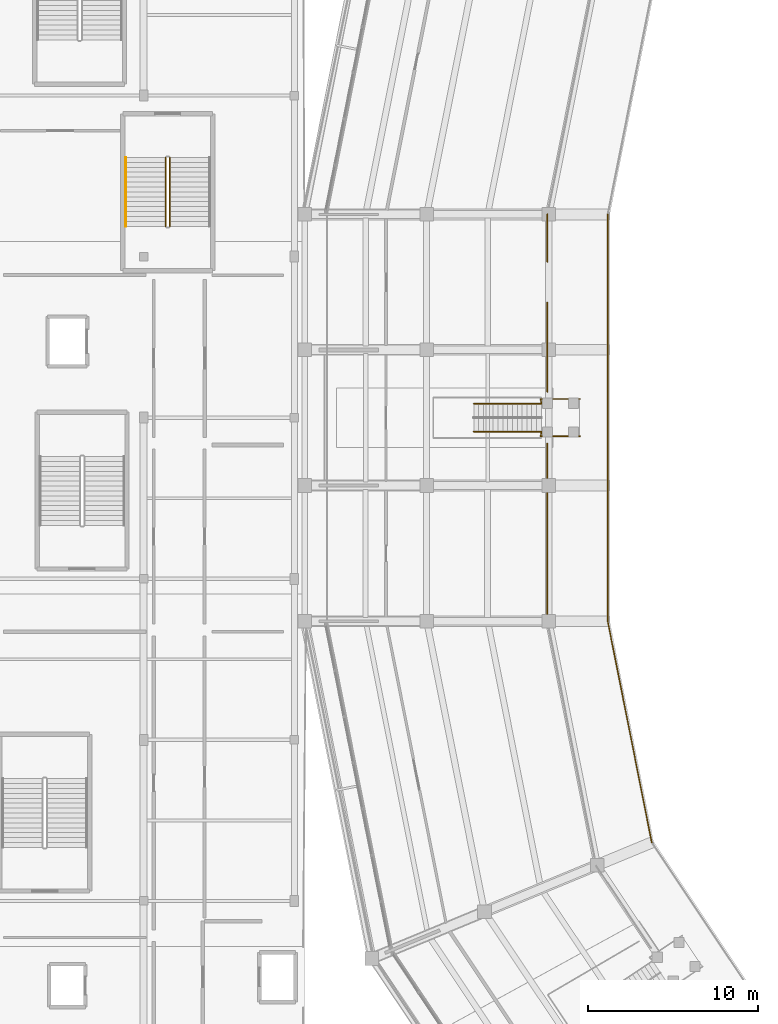
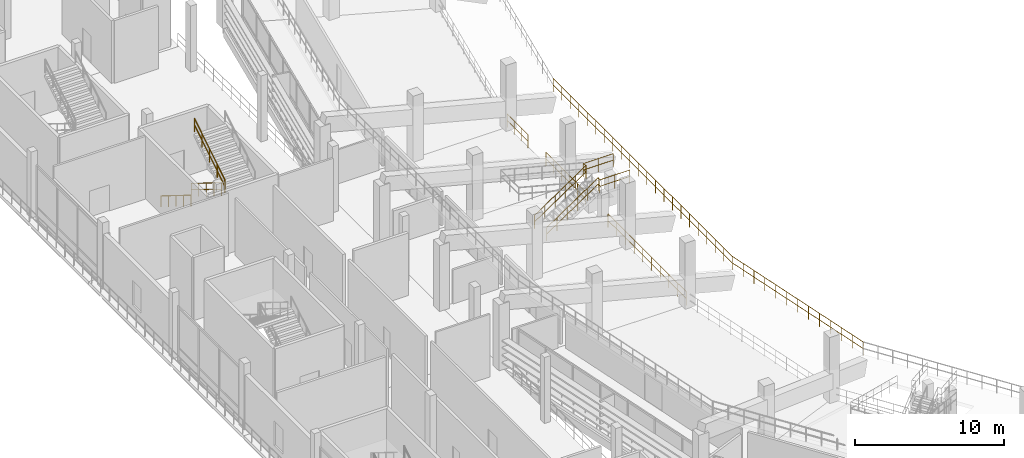
# One storey, part 84 of 96: 12 railings.
"""IFC4 building model written with IfcOpenShell, lengths in metres."""

from ifc_helpers import new_model, si_unit, direction, frame, origin, origin_2d, place, context, subcontext, project, spatial, circle, extrude, material, layer, layer_set, type_object, element, save


model = new_model("IFC4")

# Units and contexts
model_context = context("Model", 3, precision=1e-05, world=origin(), true_north=direction((0.0, 1.0)))
body_context = subcontext(model_context, "Body", "Model", "MODEL_VIEW")
ifc_project = project(units=[si_unit("LENGTHUNIT", "METRE"), si_unit("AREAUNIT", "SQUARE_METRE"), si_unit("VOLUMEUNIT", "CUBIC_METRE"), si_unit("PLANEANGLEUNIT", "RADIAN"), si_unit("MASSUNIT", "GRAM", prefix="KILO")], contexts=[model_context])

# Site, building, storey
site_placement = place(None, origin())
site = spatial("IfcSite", under=ifc_project, at=site_placement, CompositionType="ELEMENT")
building_placement = place(site_placement, origin())
building = spatial("IfcBuilding", under=site, at=building_placement, Name="Candeia Ridge Stadium", CompositionType="ELEMENT")
storey_placement = place(building_placement, frame((0.0, 0.0, 21.60009765625)))
storey = spatial("IfcBuildingStorey", under=building, at=storey_placement, Name="L04", CompositionType="ELEMENT", Elevation=21.60009765625)

# Railings
ifc_material_1 = material(Name="Galvanized Powder-Coated Steel", Category="steel")
ifc_layer_1 = layer(ifc_material_1, 0.074951171875, Name="Galvanized Powder-Coated Steel", Category="steel")
ifc_layer_set_1 = layer_set([ifc_layer_1], Name="Galvanized Powder-Coated Steel")
railing_type_1 = type_object("IfcRailingType", Name="Spectator Bowl Front Guardrail 1120", PredefinedType="GUARDRAIL", material=ifc_layer_set_1)
for number, where, name in (
    (1, (36.8798828125, 95.0, 1.64990234375), "Stand T3 front safety guardrail bay 12"),
    (2, (36.8798828125, 87.0, 1.64990234375), "Stand T3 front safety guardrail bay 13"),
    (3, (36.8798828125, 79.0, 1.64990234375), "Stand T3 front safety guardrail bay 14"),
):
    element("IfcRailing", number, at=place(storey_placement, frame(where)), inside=storey, type_object=railing_type_1, Name=name, PredefinedType="GUARDRAIL", context=body_context, shape_type="SweptSolid", body=[
        extrude(circle(Radius=0.02392578125, at=origin_2d()), frame((0.0, 0.0, 1.09619140625), z_axis=(0.0, -1.0, 0.0), x_axis=(1.0, 0.0, 0.0)), (0.0, 0.0, 1.0), 8.0),
        extrude(circle(Radius=0.02392578125, at=origin_2d()), frame((0.0, 0.0, 0.56005859375), z_axis=(0.0, -1.0, 0.0), x_axis=(1.0, 0.0, 0.0)), (0.0, 0.0, 1.0), 8.0),
        extrude(circle(Radius=0.02099609375, at=origin_2d()), origin(), (0.0, 0.0, 1.0), 1.072021484375),
        extrude(circle(Radius=0.02099609375, at=origin_2d()), frame((0.0, -1.142822265625, 0.0)), (0.0, 0.0, 1.0), 1.072021484375),
        extrude(circle(Radius=0.02099609375, at=origin_2d()), frame((0.0, -2.28564453125, 0.0)), (0.0, 0.0, 1.0), 1.072021484375),
        extrude(circle(Radius=0.02099609375, at=origin_2d()), frame((0.0, -3.428466796875, 0.0)), (0.0, 0.0, 1.0), 1.072021484375),
        extrude(circle(Radius=0.02099609375, at=origin_2d()), frame((0.0, -4.571533203125, 0.0)), (0.0, 0.0, 1.0), 1.072021484375),
        extrude(circle(Radius=0.02099609375, at=origin_2d()), frame((0.0, -5.71435546875, 0.0)), (0.0, 0.0, 1.0), 1.072021484375),
        extrude(circle(Radius=0.02099609375, at=origin_2d()), frame((0.0, -6.857177734375, 0.0)), (0.0, 0.0, 1.0), 1.072021484375),
        extrude(circle(Radius=0.02099609375, at=origin_2d()), frame((0.0, -8.0, 0.0)), (0.0, 0.0, 1.0), 1.072021484375),
    ])
railing_1_placement = place(storey_placement, frame((36.8798828125, 71.0, 1.64990234375)))
element("IfcRailing", 4, at=railing_1_placement, inside=storey, type_object=railing_type_1, Name="Stand T3 front safety guardrail bay 15", PredefinedType="GUARDRAIL", context=body_context, shape_type="SweptSolid", body=[
    extrude(circle(Radius=0.02392578125, at=origin_2d()), frame((0.0, 0.0, 1.09619140625), z_axis=(0.195103883511, -0.980782582757, 0.0), x_axis=(0.980782582757, 0.195103883511, 0.0)), (0.0, 0.0, 1.0), 13.31298828125),
    extrude(circle(Radius=0.02392578125, at=origin_2d()), frame((0.0, 0.0, 0.56005859375), z_axis=(0.195103883511, -0.980782582757, 0.0), x_axis=(0.980782582757, 0.195103883511, 0.0)), (0.0, 0.0, 1.0), 13.31298828125),
    extrude(circle(Radius=0.02099609375, at=origin_2d()), origin(), (0.0, 0.0, 1.0), 1.072021484375),
    extrude(circle(Radius=0.02099609375, at=origin_2d()), frame((0.216552734375, -1.088134765625, 0.0)), (0.0, 0.0, 1.0), 1.072021484375),
    extrude(circle(Radius=0.02099609375, at=origin_2d()), frame((0.432861328125, -2.17626953125, 0.0)), (0.0, 0.0, 1.0), 1.072021484375),
    extrude(circle(Radius=0.02099609375, at=origin_2d()), frame((0.6494140625, -3.26416015625, 0.0)), (0.0, 0.0, 1.0), 1.072021484375),
    extrude(circle(Radius=0.02099609375, at=origin_2d()), frame((0.86572265625, -4.352294921875, 0.0)), (0.0, 0.0, 1.0), 1.072021484375),
    extrude(circle(Radius=0.02099609375, at=origin_2d()), frame((1.082275390625, -5.4404296875, 0.0)), (0.0, 0.0, 1.0), 1.072021484375),
    extrude(circle(Radius=0.02099609375, at=origin_2d()), frame((1.298828125, -6.528564453125, 0.0)), (0.0, 0.0, 1.0), 1.072021484375),
    extrude(circle(Radius=0.02099609375, at=origin_2d()), frame((1.51513671875, -7.61669921875, 0.0)), (0.0, 0.0, 1.0), 1.072021484375),
    extrude(circle(Radius=0.02099609375, at=origin_2d()), frame((1.731689453125, -8.704833984375, 0.0)), (0.0, 0.0, 1.0), 1.072021484375),
    extrude(circle(Radius=0.02099609375, at=origin_2d()), frame((1.947998046875, -9.79296875, 0.0)), (0.0, 0.0, 1.0), 1.072021484375),
    extrude(circle(Radius=0.02099609375, at=origin_2d()), frame((2.16455078125, -10.880859375, 0.0)), (0.0, 0.0, 1.0), 1.072021484375),
    extrude(circle(Radius=0.02099609375, at=origin_2d()), frame((2.380859375, -11.968994140625, 0.0)), (0.0, 0.0, 1.0), 1.072021484375),
    extrude(circle(Radius=0.02099609375, at=origin_2d()), frame((2.597412109375, -13.05712890625, 0.0)), (0.0, 0.0, 1.0), 1.072021484375),
])
railing_2_placement = place(storey_placement, frame((33.320068359375, 95.0, 0.0)))
element("IfcRailing", 5, at=railing_2_placement, inside=storey, type_object=railing_type_1, Name="Deck edge safety guardrail GR-DE-L04-0240", PredefinedType="GUARDRAIL", context=body_context, shape_type="SweptSolid", body=[
    extrude(circle(Radius=0.02392578125, at=origin_2d()), frame((0.0, 0.0, 1.09619140625), z_axis=(0.0, -1.0, 0.0), x_axis=(1.0, 0.0, 0.0)), (0.0, 0.0, 1.0), 2.800048828125),
    extrude(circle(Radius=0.02392578125, at=origin_2d()), frame((0.0, 0.0, 0.56005859375), z_axis=(0.0, -1.0, 0.0), x_axis=(1.0, 0.0, 0.0)), (0.0, 0.0, 1.0), 2.800048828125),
    extrude(circle(Radius=0.02099609375, at=origin_2d()), origin(), (0.0, 0.0, 1.0), 1.072021484375),
    extrude(circle(Radius=0.02099609375, at=origin_2d()), frame((0.0, -0.933349609375, 0.0)), (0.0, 0.0, 1.0), 1.072021484375),
    extrude(circle(Radius=0.02099609375, at=origin_2d()), frame((0.0, -1.86669921875, 0.0)), (0.0, 0.0, 1.0), 1.072021484375),
    extrude(circle(Radius=0.02099609375, at=origin_2d()), frame((0.0, -2.800048828125, 0.0)), (0.0, 0.0, 1.0), 1.072021484375),
])
railing_3_placement = place(storey_placement, frame((33.320068359375, 89.800048828125, 0.0)))
element("IfcRailing", 6, at=railing_3_placement, inside=storey, type_object=railing_type_1, Name="Deck edge safety guardrail GR-DE-L04-0241", PredefinedType="GUARDRAIL", context=body_context, shape_type="SweptSolid", body=[
    extrude(circle(Radius=0.02392578125, at=origin_2d()), frame((0.0, 0.0, 1.09619140625), z_axis=(0.0, -1.0, 0.0), x_axis=(1.0, 0.0, 0.0)), (0.0, 0.0, 1.0), 5.280029296875),
    extrude(circle(Radius=0.02392578125, at=origin_2d()), frame((0.0, 0.0, 0.56005859375), z_axis=(0.0, -1.0, 0.0), x_axis=(1.0, 0.0, 0.0)), (0.0, 0.0, 1.0), 5.280029296875),
    extrude(circle(Radius=0.02099609375, at=origin_2d()), origin(), (0.0, 0.0, 1.0), 1.072021484375),
    extrude(circle(Radius=0.02099609375, at=origin_2d()), frame((0.0, -1.055908203125, 0.0)), (0.0, 0.0, 1.0), 1.072021484375),
    extrude(circle(Radius=0.02099609375, at=origin_2d()), frame((0.0, -2.112060546875, 0.0)), (0.0, 0.0, 1.0), 1.072021484375),
    extrude(circle(Radius=0.02099609375, at=origin_2d()), frame((0.0, -3.16796875, 0.0)), (0.0, 0.0, 1.0), 1.072021484375),
    extrude(circle(Radius=0.02099609375, at=origin_2d()), frame((0.0, -4.22412109375, 0.0)), (0.0, 0.0, 1.0), 1.072021484375),
    extrude(circle(Radius=0.02099609375, at=origin_2d()), frame((0.0, -5.280029296875, 0.0)), (0.0, 0.0, 1.0), 1.072021484375),
])
railing_4_placement = place(storey_placement, frame((33.320068359375, 81.47998046875, 0.0)))
element("IfcRailing", 7, at=railing_4_placement, inside=storey, type_object=railing_type_1, Name="Deck edge safety guardrail GR-DE-L04-0242", PredefinedType="GUARDRAIL", context=body_context, shape_type="SweptSolid", body=[
    extrude(circle(Radius=0.02392578125, at=origin_2d()), frame((0.0, 0.0, 1.09619140625), z_axis=(0.00013956734, -0.99999999026, 0.0), x_axis=(0.99999999026, 0.00013956734, 0.0)), (0.0, 0.0, 1.0), 10.49560546875),
    extrude(circle(Radius=0.02392578125, at=origin_2d()), frame((0.0, 0.0, 0.56005859375), z_axis=(0.00013956734, -0.99999999026, 0.0), x_axis=(0.99999999026, 0.00013956734, 0.0)), (0.0, 0.0, 1.0), 10.49560546875),
    extrude(circle(Radius=0.02099609375, at=origin_2d()), origin(), (0.0, 0.0, 1.0), 1.072021484375),
    extrude(circle(Radius=0.02099609375, at=origin_2d()), frame((0.000244140625, -1.166259765625, 0.0)), (0.0, 0.0, 1.0), 1.072021484375),
    extrude(circle(Radius=0.02099609375, at=origin_2d()), frame((0.000244140625, -2.332275390625, 0.0)), (0.0, 0.0, 1.0), 1.072021484375),
    extrude(circle(Radius=0.02099609375, at=origin_2d()), frame((0.00048828125, -3.49853515625, 0.0)), (0.0, 0.0, 1.0), 1.072021484375),
    extrude(circle(Radius=0.02099609375, at=origin_2d()), frame((0.000732421875, -4.664794921875, 0.0)), (0.0, 0.0, 1.0), 1.072021484375),
    extrude(circle(Radius=0.02099609375, at=origin_2d()), frame((0.000732421875, -5.830810546875, 0.0)), (0.0, 0.0, 1.0), 1.072021484375),
    extrude(circle(Radius=0.02099609375, at=origin_2d()), frame((0.0009765625, -6.9970703125, 0.0)), (0.0, 0.0, 1.0), 1.072021484375),
    extrude(circle(Radius=0.02099609375, at=origin_2d()), frame((0.001220703125, -8.163330078125, 0.0)), (0.0, 0.0, 1.0), 1.072021484375),
    extrude(circle(Radius=0.02099609375, at=origin_2d()), frame((0.001220703125, -9.329345703125, 0.0)), (0.0, 0.0, 1.0), 1.072021484375),
    extrude(circle(Radius=0.02099609375, at=origin_2d()), frame((0.00146484375, -10.49560546875, 0.0)), (0.0, 0.0, 1.0), 1.072021484375),
])
ifc_material_2 = material(Name="Brushed Stainless Steel", Category="steel")
ifc_layer_2 = layer(ifc_material_2, 0.048095703125, Name="Brushed Stainless Steel", Category="steel")
ifc_layer_set_2 = layer_set([ifc_layer_2], Name="Brushed Stainless Steel")
railing_type_2 = type_object("IfcRailingType", Name="Stair Wall & Flight Handrail 900", PredefinedType="HANDRAIL", material=ifc_layer_set_2)
railing_5_placement = place(storey_placement, frame((8.449951171875, 98.35009765625, 0.179931640625)))
element("IfcRailing", 8, at=railing_5_placement, inside=storey, type_object=railing_type_2, Name="L04 ST08 stair handrail 1", PredefinedType="HANDRAIL", context=body_context, shape_type="SweptSolid", body=[
    extrude(circle(Radius=0.02392578125, at=origin_2d()), frame((0.0, 0.0, 0.8759765625), z_axis=(0.0, -0.849641744969, 0.527360318194), x_axis=(1.0, 0.0, 0.0)), (0.0, 0.0, 1.0), 4.778564453125),
    extrude(circle(Radius=0.02099609375, at=origin_2d()), origin(), (0.0, 0.0, 1.0), 0.851806640625),
    extrude(circle(Radius=0.02099609375, at=origin_2d()), frame((0.0, -1.01513671875, 0.6298828125)), (0.0, 0.0, 1.0), 0.851806640625),
    extrude(circle(Radius=0.02099609375, at=origin_2d()), frame((0.0, -2.030029296875, 1.260009765625)), (0.0, 0.0, 1.0), 0.851806640625),
    extrude(circle(Radius=0.02099609375, at=origin_2d()), frame((0.0, -3.044921875, 1.89013671875)), (0.0, 0.0, 1.0), 0.851806640625),
    extrude(circle(Radius=0.02099609375, at=origin_2d()), frame((0.0, -4.06005859375, 2.52001953125)), (0.0, 0.0, 1.0), 0.851806640625),
])
ifc_layer_3 = layer(ifc_material_1, 0.06005859375, Name="Galvanized Powder-Coated Steel", Category="steel")
ifc_layer_set_3 = layer_set([ifc_layer_3], Name="Galvanized Powder-Coated Steel")
railing_type_3 = type_object("IfcRailingType", Name="Stair Well Guardrail 1100", PredefinedType="GUARDRAIL", material=ifc_layer_set_3)
railing_6_placement = place(storey_placement, frame((10.800048828125, 98.35009765625, 0.179931640625)))
element("IfcRailing", 9, at=railing_6_placement, inside=storey, type_object=railing_type_3, Name="L04 ST08 stair guard 1", PredefinedType="GUARDRAIL", context=body_context, shape_type="SweptSolid", body=[
    extrude(circle(Radius=0.02392578125, at=origin_2d()), frame((0.0, 0.0, 1.076171875), z_axis=(0.0, -0.849641744969, 0.527360318194), x_axis=(1.0, 0.0, 0.0)), (0.0, 0.0, 1.0), 4.778564453125),
    extrude(circle(Radius=0.02392578125, at=origin_2d()), frame((0.0, 0.0, 0.550048828125), z_axis=(0.0, -0.849641744969, 0.527360318194), x_axis=(1.0, 0.0, 0.0)), (0.0, 0.0, 1.0), 4.778564453125),
    extrude(circle(Radius=0.02099609375, at=origin_2d()), origin(), (0.0, 0.0, 1.0), 1.052001953125),
    extrude(circle(Radius=0.02099609375, at=origin_2d()), frame((0.0, -1.01513671875, 0.6298828125)), (0.0, 0.0, 1.0), 1.052001953125),
    extrude(circle(Radius=0.02099609375, at=origin_2d()), frame((0.0, -2.030029296875, 1.260009765625)), (0.0, 0.0, 1.0), 1.052001953125),
    extrude(circle(Radius=0.02099609375, at=origin_2d()), frame((0.0, -3.044921875, 1.89013671875)), (0.0, 0.0, 1.0), 1.052001953125),
    extrude(circle(Radius=0.02099609375, at=origin_2d()), frame((0.0, -4.06005859375, 2.52001953125)), (0.0, 0.0, 1.0), 1.052001953125),
])
railing_7_placement = place(storey_placement, frame((11.050048828125, 94.2900390625, 2.8798828125)))
element("IfcRailing", 10, at=railing_7_placement, inside=storey, type_object=railing_type_3, Name="L04 ST08 stair guard 3", PredefinedType="GUARDRAIL", context=body_context, shape_type="SweptSolid", body=[
    extrude(circle(Radius=0.02392578125, at=origin_2d()), frame((0.0, 0.0, 1.076171875), z_axis=(0.0, 0.849641744969, 0.527360318194), x_axis=(-1.0, 0.0, 0.0)), (0.0, 0.0, 1.0), 4.778564453125),
    extrude(circle(Radius=0.02392578125, at=origin_2d()), frame((0.0, 0.0, 0.550048828125), z_axis=(0.0, 0.849641744969, 0.527360318194), x_axis=(-1.0, 0.0, 0.0)), (0.0, 0.0, 1.0), 4.778564453125),
    extrude(circle(Radius=0.02099609375, at=origin_2d()), origin(), (0.0, 0.0, 1.0), 1.052001953125),
    extrude(circle(Radius=0.02099609375, at=origin_2d()), frame((0.0, 1.01513671875, 0.6298828125)), (0.0, 0.0, 1.0), 1.052001953125),
    extrude(circle(Radius=0.02099609375, at=origin_2d()), frame((0.0, 2.030029296875, 1.260009765625)), (0.0, 0.0, 1.0), 1.052001953125),
    extrude(circle(Radius=0.02099609375, at=origin_2d()), frame((0.0, 3.044921875, 1.89013671875)), (0.0, 0.0, 1.0), 1.052001953125),
    extrude(circle(Radius=0.02099609375, at=origin_2d()), frame((0.0, 4.06005859375, 2.52001953125)), (0.0, 0.0, 1.0), 1.052001953125),
])
ifc_layer_4 = layer(ifc_material_1, 0.070068359375, Name="Galvanized Powder-Coated Steel", Category="steel")
ifc_layer_set_4 = layer_set([ifc_layer_4], Name="Galvanized Powder-Coated Steel")
railing_type_4 = type_object("IfcRailingType", Name="Vomitory Portal Guardrail 1100", PredefinedType="GUARDRAIL", material=ifc_layer_set_4)
railing_8_placement = place(storey_placement, frame((28.97802734375, 83.820068359375, 0.0)))
element("IfcRailing", 11, at=railing_8_placement, inside=storey, type_object=railing_type_4, Name="Vomitory stair & landing side guardrail VS29-L", PredefinedType="GUARDRAIL", context=body_context, shape_type="SweptSolid", body=[
    extrude(circle(Radius=0.02392578125, at=origin_2d()), frame((0.0, 0.0, 1.076171875), z_axis=(0.828790466984, 0.0, 0.559559078058), x_axis=(0.0, 1.0, 0.0)), (0.0, 0.0, 1.0), 4.814208984375),
    extrude(circle(Radius=0.02392578125, at=origin_2d()), frame((0.0, 0.0, 0.550048828125), z_axis=(0.828790466984, 0.0, 0.559559078058), x_axis=(0.0, 1.0, 0.0)), (0.0, 0.0, 1.0), 4.814208984375),
    extrude(circle(Radius=0.02392578125, at=origin_2d()), frame((3.989990234375, 0.0, 3.77001953125), z_axis=(-0.141542183877, 0.989932225045, 0.0), x_axis=(-0.989932225045, -0.141542183877, 0.0)), (0.0, 0.0, 1.0), 0.282958984375),
    extrude(circle(Radius=0.02392578125, at=origin_2d()), frame((3.989990234375, 0.0, 3.243896484375), z_axis=(-0.141542183877, 0.989932225045, 0.0), x_axis=(-0.989932225045, -0.141542183877, 0.0)), (0.0, 0.0, 1.0), 0.282958984375),
    extrude(circle(Radius=0.02392578125, at=origin_2d()), frame((3.949951171875, 0.280029296875, 3.77001953125), z_axis=(1.0, 0.0, 0.0), x_axis=(0.0, 1.0, 0.0)), (0.0, 0.0, 1.0), 2.320068359375),
    extrude(circle(Radius=0.02392578125, at=origin_2d()), frame((3.949951171875, 0.280029296875, 3.243896484375), z_axis=(1.0, 0.0, 0.0), x_axis=(0.0, 1.0, 0.0)), (0.0, 0.0, 1.0), 2.320068359375),
    extrude(circle(Radius=0.02099609375, at=origin_2d()), origin(), (0.0, 0.0, 1.0), 1.052001953125),
    extrude(circle(Radius=0.02099609375, at=origin_2d()), frame((0.798095703125, 0.0, 0.538818359375)), (0.0, 0.0, 1.0), 1.052001953125),
    extrude(circle(Radius=0.02099609375, at=origin_2d()), frame((1.595947265625, 0.0, 1.07763671875)), (0.0, 0.0, 1.0), 1.052001953125),
    extrude(circle(Radius=0.02099609375, at=origin_2d()), frame((2.39404296875, 0.0, 1.6162109375)), (0.0, 0.0, 1.0), 1.052001953125),
    extrude(circle(Radius=0.02099609375, at=origin_2d()), frame((3.19189453125, 0.0, 2.155029296875)), (0.0, 0.0, 1.0), 1.052001953125),
    extrude(circle(Radius=0.02099609375, at=origin_2d()), frame((3.989990234375, 0.0, 2.69384765625)), (0.0, 0.0, 1.0), 1.052001953125),
    extrude(circle(Radius=0.02099609375, at=origin_2d()), frame((3.949951171875, 0.280029296875, 2.69384765625)), (0.0, 0.0, 1.0), 1.052001953125),
    extrude(circle(Radius=0.02099609375, at=origin_2d()), frame((5.10986328125, 0.280029296875, 2.69384765625)), (0.0, 0.0, 1.0), 1.052001953125),
    extrude(circle(Radius=0.02099609375, at=origin_2d()), frame((6.27001953125, 0.280029296875, 2.69384765625)), (0.0, 0.0, 1.0), 1.052001953125),
])
railing_9_placement = place(storey_placement, frame((28.97802734375, 82.179931640625, 0.0)))
element("IfcRailing", 12, at=railing_9_placement, inside=storey, type_object=railing_type_4, Name="Vomitory stair & landing side guardrail VS29-R", PredefinedType="GUARDRAIL", context=body_context, shape_type="SweptSolid", body=[
    extrude(circle(Radius=0.02392578125, at=origin_2d()), frame((0.0, 0.0, 1.076171875), z_axis=(0.828790466984, 0.0, 0.559559078058), x_axis=(0.0, 1.0, 0.0)), (0.0, 0.0, 1.0), 4.814208984375),
    extrude(circle(Radius=0.02392578125, at=origin_2d()), frame((0.0, 0.0, 0.550048828125), z_axis=(0.828790466984, 0.0, 0.559559078058), x_axis=(0.0, 1.0, 0.0)), (0.0, 0.0, 1.0), 4.814208984375),
    extrude(circle(Radius=0.02392578125, at=origin_2d()), frame((3.989990234375, 0.0, 3.77001953125), z_axis=(-0.141542183877, -0.989932225045, 0.0), x_axis=(0.989932225045, -0.141542183877, 0.0)), (0.0, 0.0, 1.0), 0.282958984375),
    extrude(circle(Radius=0.02392578125, at=origin_2d()), frame((3.989990234375, 0.0, 3.243896484375), z_axis=(-0.141542183877, -0.989932225045, 0.0), x_axis=(0.989932225045, -0.141542183877, 0.0)), (0.0, 0.0, 1.0), 0.282958984375),
    extrude(circle(Radius=0.02392578125, at=origin_2d()), frame((3.949951171875, -0.280029296875, 3.77001953125), z_axis=(1.0, 0.0, 0.0), x_axis=(0.0, 1.0, 0.0)), (0.0, 0.0, 1.0), 2.320068359375),
    extrude(circle(Radius=0.02392578125, at=origin_2d()), frame((3.949951171875, -0.280029296875, 3.243896484375), z_axis=(1.0, 0.0, 0.0), x_axis=(0.0, 1.0, 0.0)), (0.0, 0.0, 1.0), 2.320068359375),
    extrude(circle(Radius=0.02099609375, at=origin_2d()), origin(), (0.0, 0.0, 1.0), 1.052001953125),
    extrude(circle(Radius=0.02099609375, at=origin_2d()), frame((0.798095703125, 0.0, 0.538818359375)), (0.0, 0.0, 1.0), 1.052001953125),
    extrude(circle(Radius=0.02099609375, at=origin_2d()), frame((1.595947265625, 0.0, 1.07763671875)), (0.0, 0.0, 1.0), 1.052001953125),
    extrude(circle(Radius=0.02099609375, at=origin_2d()), frame((2.39404296875, 0.0, 1.6162109375)), (0.0, 0.0, 1.0), 1.052001953125),
    extrude(circle(Radius=0.02099609375, at=origin_2d()), frame((3.19189453125, 0.0, 2.155029296875)), (0.0, 0.0, 1.0), 1.052001953125),
    extrude(circle(Radius=0.02099609375, at=origin_2d()), frame((3.989990234375, 0.0, 2.69384765625)), (0.0, 0.0, 1.0), 1.052001953125),
    extrude(circle(Radius=0.02099609375, at=origin_2d()), frame((3.949951171875, -0.280029296875, 2.69384765625)), (0.0, 0.0, 1.0), 1.052001953125),
    extrude(circle(Radius=0.02099609375, at=origin_2d()), frame((5.10986328125, -0.280029296875, 2.69384765625)), (0.0, 0.0, 1.0), 1.052001953125),
    extrude(circle(Radius=0.02099609375, at=origin_2d()), frame((6.27001953125, -0.280029296875, 2.69384765625)), (0.0, 0.0, 1.0), 1.052001953125),
])

save(model, "model.ifc")
